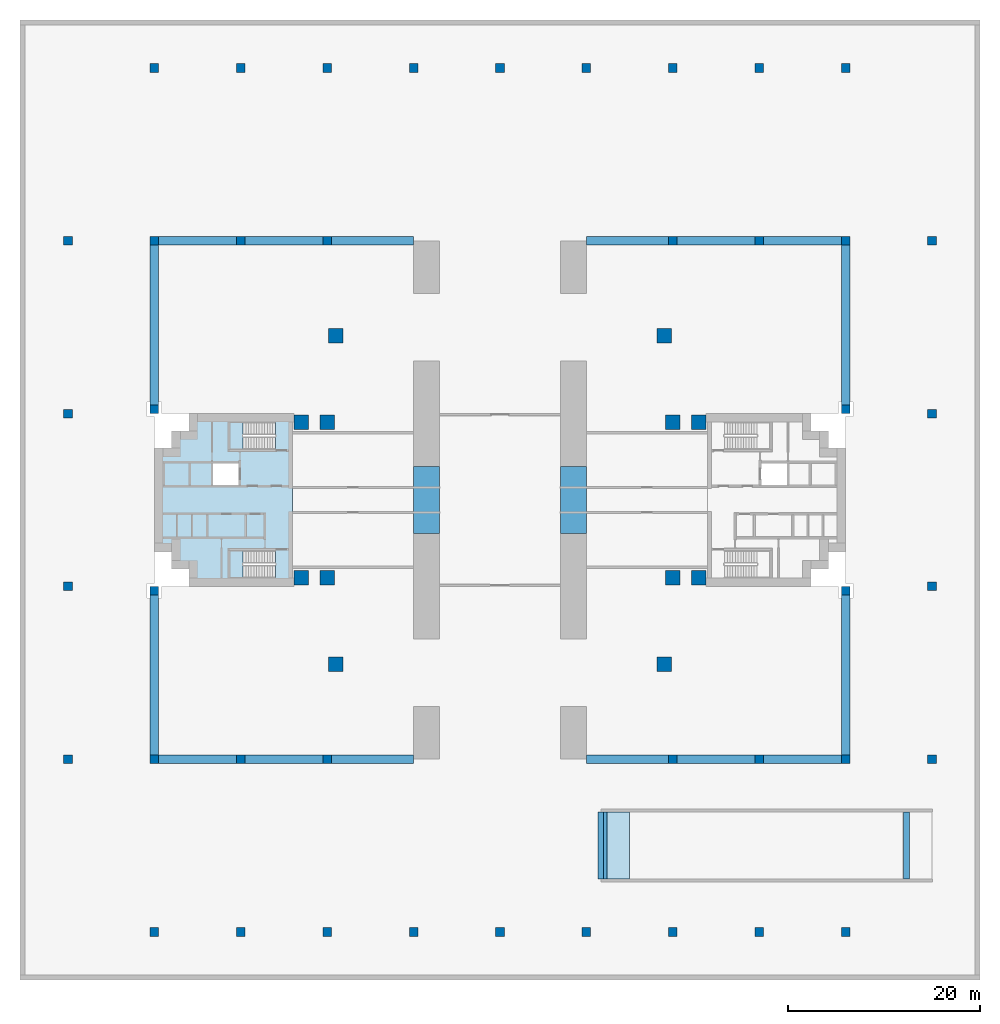
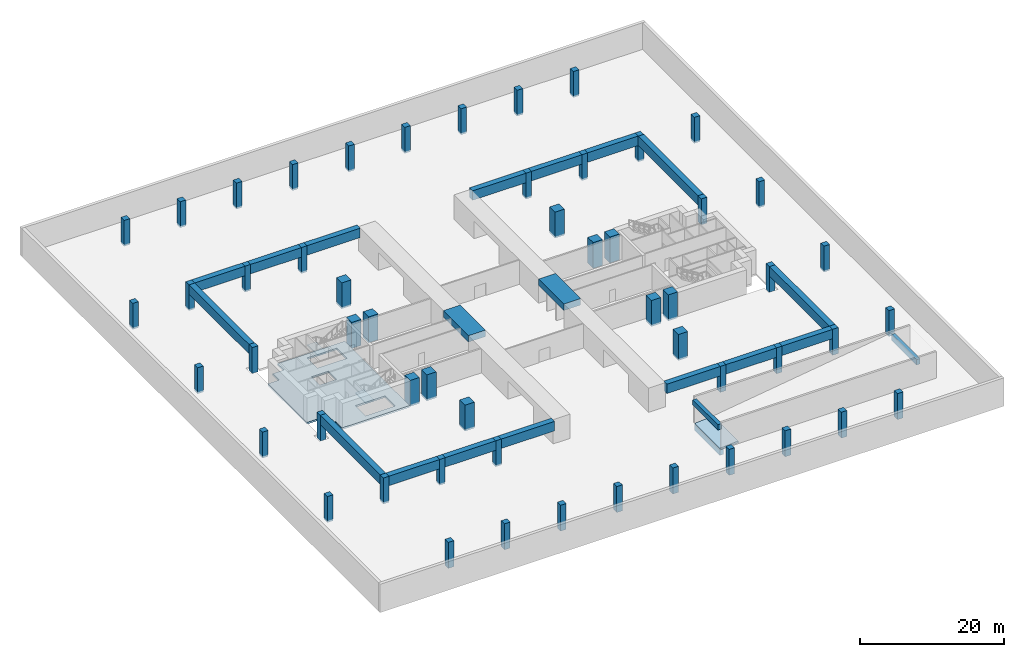
# One storey, part 1 of 9: 54 columns, 21 beams, 4 slabs, 2 elements without a shape of their own.
"""IFC4 building model written with IfcOpenShell, lengths in metres."""

from ifc_helpers import new_model, si_unit, direction, frame, origin, origin_2d, place, context, subcontext, project, spatial, polyline, rectangle, outline, extrude, material, layer, layer_set, material_profile, profile_set, type_object, element, aggregate, save


model = new_model("IFC4")

# Units and contexts
model_context = context("Model", 3, precision=1e-05, world=origin(), true_north=direction((0.0, 1.0)))
body_context = subcontext(model_context, "Body", "Model", "MODEL_VIEW")
ifc_project = project(units=[si_unit("LENGTHUNIT", "METRE"), si_unit("AREAUNIT", "SQUARE_METRE"), si_unit("VOLUMEUNIT", "CUBIC_METRE"), si_unit("PLANEANGLEUNIT", "RADIAN"), si_unit("MASSUNIT", "GRAM", prefix="KILO")], contexts=[model_context])

# Site, building, storey
site_placement = place(None, origin())
site = spatial("IfcSite", under=ifc_project, at=site_placement, CompositionType="ELEMENT")
building_placement = place(site_placement, origin())
building = spatial("IfcBuilding", under=site, at=building_placement, Name="Perihelion Cross Residences", CompositionType="ELEMENT")
storey_placement = place(building_placement, frame((0.0, 0.0, -4.5)))
storey = spatial("IfcBuildingStorey", under=building, at=storey_placement, Name="B1", CompositionType="ELEMENT", Elevation=-4.5)

# Columns
ifc_material_1 = material(Name="Concrete C80/95", Category="concrete")
ifc_material_profile_1 = material_profile(ifc_material_1, rectangle(XDim=1.5, YDim=1.5, at=origin_2d()), Name="RC 1500x1500")
ifc_profile_set_1 = profile_set([ifc_material_profile_1], Name="Concrete C80/95")
column_type_1 = type_object("IfcColumnType", Name="Reinforced concrete column 1500x1500 C80/95", PredefinedType="COLUMN", material=ifc_profile_set_1)
for number, where, z_axis, x_axis, name in (
    (1, (-20.699951171875, -8.10009765625, -0.300048828125), (0.0, 0.0, 1.0), (1.0, 0.0, 0.0), "Column C017 B1 no. 1"),
    (2, (-20.699951171875, 8.10009765625, -0.300048828125), (0.0, 0.0, 1.0), (1.0, 0.0, 0.0), "Column C010 B1 no. 1"),
    (3, (-18.0, -8.10009765625, -0.300048828125), (0.0, 0.0, 1.0), (1.0, 0.0, 0.0), "Column C018 B1 no. 1"),
    (4, (-18.0, 8.10009765625, -0.300048828125), (0.0, 0.0, 1.0), (1.0, 0.0, 0.0), "Column C011 B1 no. 1"),
    (5, (18.0, -8.10009765625, -0.300048828125), (0.0, 0.0, 1.0), (1.0, 0.0, 0.0), "Column C021 B1 no. 1"),
    (6, (18.0, 8.10009765625, -0.300048828125), (0.0, 0.0, 1.0), (1.0, 0.0, 0.0), "Column C015 B1 no. 1"),
    (7, (20.699951171875, -8.10009765625, -0.300048828125), (0.0, 0.0, 1.0), (1.0, 0.0, 0.0), "Column C022 B1 no. 1"),
    (8, (20.699951171875, 8.10009765625, -0.300048828125), (0.0, 0.0, 1.0), (1.0, 0.0, 0.0), "Column C016 B1 no. 1"),
    (9, (17.10009765625, 17.10009765625, -0.300048828125), (0.0, 0.0, 1.0), (1.0, 0.0, 0.0), "Column C009 B1 no. 1"),
    (10, (-17.10009765625, 17.10009765625, -0.300048828125), (0.0, 0.0, 1.0), (1.0, 0.0, 0.0), "Column C008 B1 no. 1"),
    (11, (-17.10009765625, -17.10009765625, -0.300048828125), (0.0, 0.0, 1.0), (1.0, 0.0, 0.0), "Column C030 B1 no. 1"),
    (12, (17.10009765625, -17.10009765625, -0.300048828125), (0.0, 0.0, 1.0), (1.0, 0.0, 0.0), "Column C036 B1 no. 1"),
):
    element("IfcColumn", number, at=place(storey_placement, frame(where, z_axis=z_axis, x_axis=x_axis)), inside=storey, type_object=column_type_1, Name=name, PredefinedType="COLUMN", context=body_context, shape_type="SweptSolid", body=[
        extrude(rectangle(XDim=1.5, YDim=1.5, at=origin_2d()), origin(), (0.0, 0.0, 1.0), 4.400146484375),
    ])
ifc_material_2 = material(Name="Concrete C50/60", Category="concrete")
ifc_material_profile_2 = material_profile(ifc_material_2, rectangle(XDim=0.89990234375, YDim=0.89990234375, at=origin_2d()), Name="RC 900x900")
ifc_profile_set_2 = profile_set([ifc_material_profile_2], Name="Concrete C50/60")
column_type_2 = type_object("IfcColumnType", Name="Reinforced concrete column 900x900 C50/60", PredefinedType="COLUMN", material=ifc_profile_set_2)
for number, where, z_axis, x_axis, name in (
    (13, (-45.0, -27.0, -0.300048828125), (0.0, 0.0, 1.0), (1.0, 0.0, 0.0), "Column CP12 B1 no. 1"),
    (14, (-45.0, -9.0, -0.300048828125), (0.0, 0.0, 1.0), (1.0, 0.0, 0.0), "Column CP13 B1 no. 1"),
    (15, (-45.0, 9.0, -0.300048828125), (0.0, 0.0, 1.0), (1.0, 0.0, 0.0), "Column CP14 B1 no. 1"),
    (16, (-45.0, 27.0, -0.300048828125), (0.0, 0.0, 1.0), (1.0, 0.0, 0.0), "Column CP15 B1 no. 1"),
    (17, (-36.0, -45.0, -0.300048828125), (0.0, 0.0, 1.0), (1.0, 0.0, 0.0), "Column CP21 B1 no. 1"),
    (18, (-36.0, -27.0, -0.300048828125), (0.0, 0.0, 1.0), (1.0, 0.0, 0.0), "Column CP22 B1 no. 1"),
    (19, (-36.0, 27.0, -0.300048828125), (0.0, 0.0, 1.0), (1.0, 0.0, 0.0), "Column CP25 B1 no. 1"),
    (20, (-36.0, 45.0, -0.300048828125), (0.0, 0.0, 1.0), (1.0, 0.0, 0.0), "Column CP26 B1 no. 1"),
    (21, (-27.0, -45.0, -0.300048828125), (0.0, 0.0, 1.0), (1.0, 0.0, 0.0), "Column CP31 B1 no. 1"),
    (22, (-27.0, -27.0, -0.300048828125), (0.0, 0.0, 1.0), (1.0, 0.0, 0.0), "Column CP32 B1 no. 1"),
    (23, (-27.0, 27.0, -0.300048828125), (0.0, 0.0, 1.0), (1.0, 0.0, 0.0), "Column CP35 B1 no. 1"),
    (24, (-27.0, 45.0, -0.300048828125), (0.0, 0.0, 1.0), (1.0, 0.0, 0.0), "Column CP36 B1 no. 1"),
    (25, (-18.0, -45.0, -0.300048828125), (0.0, 0.0, 1.0), (1.0, 0.0, 0.0), "Column CP41 B1 no. 1"),
    (26, (-18.0, -27.0, -0.300048828125), (0.0, 0.0, 1.0), (1.0, 0.0, 0.0), "Column CP42 B1 no. 1"),
    (27, (-18.0, 27.0, -0.300048828125), (0.0, 0.0, 1.0), (1.0, 0.0, 0.0), "Column CP45 B1 no. 1"),
    (28, (-18.0, 45.0, -0.300048828125), (0.0, 0.0, 1.0), (1.0, 0.0, 0.0), "Column CP46 B1 no. 1"),
    (29, (-9.0, -45.0, -0.300048828125), (0.0, 0.0, 1.0), (1.0, 0.0, 0.0), "Column CP51 B1 no. 1"),
    (30, (-9.0, 45.0, -0.300048828125), (0.0, 0.0, 1.0), (1.0, 0.0, 0.0), "Column CP56 B1 no. 1"),
    (31, (0.0, -45.0, -0.300048828125), (0.0, 0.0, 1.0), (1.0, 0.0, 0.0), "Column CP61 B1 no. 1"),
    (32, (0.0, 45.0, -0.300048828125), (0.0, 0.0, 1.0), (1.0, 0.0, 0.0), "Column CP66 B1 no. 1"),
    (33, (9.0, -45.0, -0.300048828125), (0.0, 0.0, 1.0), (1.0, 0.0, 0.0), "Column CP71 B1 no. 1"),
    (34, (9.0, 45.0, -0.300048828125), (0.0, 0.0, 1.0), (1.0, 0.0, 0.0), "Column CP76 B1 no. 1"),
    (35, (18.0, -45.0, -0.300048828125), (0.0, 0.0, 1.0), (1.0, 0.0, 0.0), "Column CP81 B1 no. 1"),
    (36, (18.0, -27.0, -0.300048828125), (0.0, 0.0, 1.0), (1.0, 0.0, 0.0), "Column CP82 B1 no. 1"),
    (37, (18.0, 27.0, -0.300048828125), (0.0, 0.0, 1.0), (1.0, 0.0, 0.0), "Column CP85 B1 no. 1"),
    (38, (18.0, 45.0, -0.300048828125), (0.0, 0.0, 1.0), (1.0, 0.0, 0.0), "Column CP86 B1 no. 1"),
    (39, (27.0, -45.0, -0.300048828125), (0.0, 0.0, 1.0), (1.0, 0.0, 0.0), "Column CP91 B1 no. 1"),
    (40, (27.0, -27.0, -0.300048828125), (0.0, 0.0, 1.0), (1.0, 0.0, 0.0), "Column CP92 B1 no. 1"),
    (41, (27.0, 27.0, -0.300048828125), (0.0, 0.0, 1.0), (1.0, 0.0, 0.0), "Column CP95 B1 no. 1"),
    (42, (27.0, 45.0, -0.300048828125), (0.0, 0.0, 1.0), (1.0, 0.0, 0.0), "Column CP96 B1 no. 1"),
    (43, (36.0, -45.0, -0.300048828125), (0.0, 0.0, 1.0), (1.0, 0.0, 0.0), "Column CP101 B1 no. 1"),
    (44, (36.0, -27.0, -0.300048828125), (0.0, 0.0, 1.0), (1.0, 0.0, 0.0), "Column CP102 B1 no. 1"),
    (45, (36.0, 27.0, -0.300048828125), (0.0, 0.0, 1.0), (1.0, 0.0, 0.0), "Column CP105 B1 no. 1"),
    (46, (36.0, 45.0, -0.300048828125), (0.0, 0.0, 1.0), (1.0, 0.0, 0.0), "Column CP106 B1 no. 1"),
    (47, (45.0, -27.0, -0.300048828125), (0.0, 0.0, 1.0), (1.0, 0.0, 0.0), "Column CP112 B1 no. 1"),
    (48, (45.0, -9.0, -0.300048828125), (0.0, 0.0, 1.0), (1.0, 0.0, 0.0), "Column CP113 B1 no. 1"),
    (49, (45.0, 9.0, -0.300048828125), (0.0, 0.0, 1.0), (1.0, 0.0, 0.0), "Column CP114 B1 no. 1"),
    (50, (45.0, 27.0, -0.300048828125), (0.0, 0.0, 1.0), (1.0, 0.0, 0.0), "Column CP115 B1 no. 1"),
    (51, (36.0, 9.449951171875, -0.300048828125), (0.0, 0.0, 1.0), (1.0, 0.0, 0.0), "Column LC1 B1 loggia no. 1"),
    (52, (36.0, -9.449951171875, -0.300048828125), (0.0, 0.0, 1.0), (1.0, 0.0, 0.0), "Column LC2 B1 loggia no. 1"),
    (53, (-36.0, 9.449951171875, -0.300048828125), (0.0, 0.0, 1.0), (1.0, 0.0, 0.0), "Column LC3 B1 loggia no. 1"),
    (54, (-36.0, -9.449951171875, -0.300048828125), (0.0, 0.0, 1.0), (1.0, 0.0, 0.0), "Column LC4 B1 loggia no. 1"),
):
    element("IfcColumn", number, at=place(storey_placement, frame(where, z_axis=z_axis, x_axis=x_axis)), inside=storey, type_object=column_type_2, Name=name, PredefinedType="COLUMN", context=body_context, shape_type="SweptSolid", body=[
        extrude(rectangle(XDim=0.89990234375, YDim=0.89990234375, at=origin_2d()), origin(), (0.0, 0.0, 1.0), 4.400146484375),
    ])

# Beams
ifc_material_3 = material(Name="Concrete C60/75", Category="concrete")
ifc_material_profile_3 = material_profile(ifc_material_3, rectangle(XDim=2.699951171875, YDim=1.10009765625, at=origin_2d()), Name="Lane lintel beam 2700 x 1100 concrete C60/75")
ifc_profile_set_3 = profile_set([ifc_material_profile_3], Name="Concrete C60/75")
beam_type_1 = type_object("IfcBeamType", Name="Lane lintel beam 2700 x 1100 concrete C60/75", PredefinedType="BEAM", material=ifc_profile_set_3)
for number, where, z_axis, x_axis, name in (
    (55, (7.64990234375, -3.5, 3.550048828125), (0.0, 1.0, 0.0), (-1.0, 0.0, 0.0), "Beam CB8 B1 pier east lintel"),
    (56, (-7.64990234375, -3.5, 3.550048828125), (0.0, 1.0, 0.0), (-1.0, 0.0, 0.0), "Beam CB8 B1 pier west lintel"),
):
    element("IfcBeam", number, at=place(storey_placement, frame(where, z_axis=z_axis, x_axis=x_axis)), inside=storey, type_object=beam_type_1, Name=name, PredefinedType="BEAM", context=body_context, shape_type="SweptSolid", body=[
        extrude(rectangle(XDim=2.699951171875, YDim=1.10009765625, at=origin_2d()), origin(), (0.0, 0.0, 1.0), 7.0),
    ])
ifc_material_4 = material(Name="Concrete C50/60", Category="concrete")
ifc_material_profile_4 = material_profile(ifc_material_4, rectangle(XDim=0.89990234375, YDim=1.60009765625, at=origin_2d()), Name="RC 900x1600")
ifc_profile_set_4 = profile_set([ifc_material_profile_4], Name="Concrete C50/60")
beam_type_2 = type_object("IfcBeamType", Name="Loggia ground beam 900 x 1600 concrete C50/60", PredefinedType="BEAM", material=ifc_profile_set_4)
beam_1_placement = place(storey_placement, frame((9.0, 27.0, 3.300048828125), z_axis=(1.0, 0.0, 0.0), x_axis=(0.0, 1.0, 0.0)))
element("IfcBeam", 57, at=beam_1_placement, inside=storey, type_object=beam_type_2, Name="Beam GB1 B1 loggia north-east north-south 1", PredefinedType="BEAM", context=body_context, shape_type="SweptSolid", body=[
    extrude(rectangle(XDim=0.89990234375, YDim=1.60009765625, at=origin_2d()), origin(), (0.0, 0.0, 1.0), 8.550048828125),
])
for number, where, z_axis, x_axis, name in (
    (58, (18.449951171875, 27.0, 3.300048828125), (1.0, 0.0, 0.0), (0.0, 1.0, 0.0), "Beam GB1 B1 loggia north-east north-south 2"),
    (59, (27.449951171875, 27.0, 3.300048828125), (1.0, 0.0, 0.0), (0.0, 1.0, 0.0), "Beam GB1 B1 loggia north-east north-south 3"),
):
    element("IfcBeam", number, at=place(storey_placement, frame(where, z_axis=z_axis, x_axis=x_axis)), inside=storey, type_object=beam_type_2, Name=name, PredefinedType="BEAM", context=body_context, shape_type="SweptSolid", body=[
        extrude(rectangle(XDim=0.89990234375, YDim=1.60009765625, at=origin_2d()), origin(), (0.0, 0.0, 1.0), 8.10009765625),
    ])
beam_2_placement = place(storey_placement, frame((36.0, 9.89990234375, 3.300048828125), z_axis=(0.0, 1.0, 0.0), x_axis=(-1.0, 0.0, 0.0)))
element("IfcBeam", 60, at=beam_2_placement, inside=storey, type_object=beam_type_2, Name="Beam GB1 B1 loggia north-east east-west 1", PredefinedType="BEAM", context=body_context, shape_type="SweptSolid", body=[
    extrude(rectangle(XDim=0.89990234375, YDim=1.60009765625, at=origin_2d()), origin(), (0.0, 0.0, 1.0), 16.650146484375),
])
beam_3_placement = place(storey_placement, frame((9.0, -27.0, 3.300048828125), z_axis=(1.0, 0.0, 0.0), x_axis=(0.0, 1.0, 0.0)))
element("IfcBeam", 61, at=beam_3_placement, inside=storey, type_object=beam_type_2, Name="Beam GB1 B1 loggia south-east north-south 1", PredefinedType="BEAM", context=body_context, shape_type="SweptSolid", body=[
    extrude(rectangle(XDim=0.89990234375, YDim=1.60009765625, at=origin_2d()), origin(), (0.0, 0.0, 1.0), 8.550048828125),
])
for number, where, z_axis, x_axis, name in (
    (62, (18.449951171875, -27.0, 3.300048828125), (1.0, 0.0, 0.0), (0.0, 1.0, 0.0), "Beam GB1 B1 loggia south-east north-south 2"),
    (63, (27.449951171875, -27.0, 3.300048828125), (1.0, 0.0, 0.0), (0.0, 1.0, 0.0), "Beam GB1 B1 loggia south-east north-south 3"),
):
    element("IfcBeam", number, at=place(storey_placement, frame(where, z_axis=z_axis, x_axis=x_axis)), inside=storey, type_object=beam_type_2, Name=name, PredefinedType="BEAM", context=body_context, shape_type="SweptSolid", body=[
        extrude(rectangle(XDim=0.89990234375, YDim=1.60009765625, at=origin_2d()), origin(), (0.0, 0.0, 1.0), 8.10009765625),
    ])
beam_4_placement = place(storey_placement, frame((36.0, -9.89990234375, 3.300048828125), z_axis=(0.0, -1.0, 0.0), x_axis=(1.0, 0.0, 0.0)))
element("IfcBeam", 64, at=beam_4_placement, inside=storey, type_object=beam_type_2, Name="Beam GB1 B1 loggia south-east east-west 1", PredefinedType="BEAM", context=body_context, shape_type="SweptSolid", body=[
    extrude(rectangle(XDim=0.89990234375, YDim=1.60009765625, at=origin_2d()), origin(), (0.0, 0.0, 1.0), 16.650146484375),
])
beam_5_placement = place(storey_placement, frame((-9.0, 27.0, 3.300048828125), z_axis=(-1.0, 0.0, 0.0), x_axis=(0.0, -1.0, 0.0)))
element("IfcBeam", 65, at=beam_5_placement, inside=storey, type_object=beam_type_2, Name="Beam GB1 B1 loggia north-west north-south 1", PredefinedType="BEAM", context=body_context, shape_type="SweptSolid", body=[
    extrude(rectangle(XDim=0.89990234375, YDim=1.60009765625, at=origin_2d()), origin(), (0.0, 0.0, 1.0), 8.550048828125),
])
for number, where, z_axis, x_axis, name in (
    (66, (-18.449951171875, 27.0, 3.300048828125), (-1.0, 0.0, 0.0), (0.0, -1.0, 0.0), "Beam GB1 B1 loggia north-west north-south 2"),
    (67, (-27.449951171875, 27.0, 3.300048828125), (-1.0, 0.0, 0.0), (0.0, -1.0, 0.0), "Beam GB1 B1 loggia north-west north-south 3"),
):
    element("IfcBeam", number, at=place(storey_placement, frame(where, z_axis=z_axis, x_axis=x_axis)), inside=storey, type_object=beam_type_2, Name=name, PredefinedType="BEAM", context=body_context, shape_type="SweptSolid", body=[
        extrude(rectangle(XDim=0.89990234375, YDim=1.60009765625, at=origin_2d()), origin(), (0.0, 0.0, 1.0), 8.10009765625),
    ])
beam_6_placement = place(storey_placement, frame((-36.0, 9.89990234375, 3.300048828125), z_axis=(0.0, 1.0, 0.0), x_axis=(-1.0, 0.0, 0.0)))
element("IfcBeam", 68, at=beam_6_placement, inside=storey, type_object=beam_type_2, Name="Beam GB1 B1 loggia north-west east-west 1", PredefinedType="BEAM", context=body_context, shape_type="SweptSolid", body=[
    extrude(rectangle(XDim=0.89990234375, YDim=1.60009765625, at=origin_2d()), origin(), (0.0, 0.0, 1.0), 16.650146484375),
])
beam_7_placement = place(storey_placement, frame((-9.0, -27.0, 3.300048828125), z_axis=(-1.0, 0.0, 0.0), x_axis=(0.0, -1.0, 0.0)))
element("IfcBeam", 69, at=beam_7_placement, inside=storey, type_object=beam_type_2, Name="Beam GB1 B1 loggia south-west north-south 1", PredefinedType="BEAM", context=body_context, shape_type="SweptSolid", body=[
    extrude(rectangle(XDim=0.89990234375, YDim=1.60009765625, at=origin_2d()), origin(), (0.0, 0.0, 1.0), 8.550048828125),
])
for number, where, z_axis, x_axis, name in (
    (70, (-18.449951171875, -27.0, 3.300048828125), (-1.0, 0.0, 0.0), (0.0, -1.0, 0.0), "Beam GB1 B1 loggia south-west north-south 2"),
    (71, (-27.449951171875, -27.0, 3.300048828125), (-1.0, 0.0, 0.0), (0.0, -1.0, 0.0), "Beam GB1 B1 loggia south-west north-south 3"),
):
    element("IfcBeam", number, at=place(storey_placement, frame(where, z_axis=z_axis, x_axis=x_axis)), inside=storey, type_object=beam_type_2, Name=name, PredefinedType="BEAM", context=body_context, shape_type="SweptSolid", body=[
        extrude(rectangle(XDim=0.89990234375, YDim=1.60009765625, at=origin_2d()), origin(), (0.0, 0.0, 1.0), 8.10009765625),
    ])
beam_8_placement = place(storey_placement, frame((-36.0, -9.89990234375, 3.300048828125), z_axis=(0.0, -1.0, 0.0), x_axis=(1.0, 0.0, 0.0)))
element("IfcBeam", 72, at=beam_8_placement, inside=storey, type_object=beam_type_2, Name="Beam GB1 B1 loggia south-west east-west 1", PredefinedType="BEAM", context=body_context, shape_type="SweptSolid", body=[
    extrude(rectangle(XDim=0.89990234375, YDim=1.60009765625, at=origin_2d()), origin(), (0.0, 0.0, 1.0), 16.650146484375),
])
ifc_material_5 = material(Name="Concrete C50/60", Category="concrete")
ifc_material_profile_5 = material_profile(ifc_material_5, rectangle(XDim=0.60009765625, YDim=0.89990234375, at=origin_2d()), Name="RC 600x900")
ifc_profile_set_5 = profile_set([ifc_material_profile_5], Name="Concrete C50/60")
beam_type_3 = type_object("IfcBeamType", Name="Ramp house end beam 600 x 900 concrete C50/60", PredefinedType="BEAM", material=ifc_profile_set_5)
for number, where, z_axis, x_axis, name in (
    (73, (42.33447265625, -39.5, 3.537353515625), (0.0, 1.0, 0.0), (-1.0, 0.0, 0.0), "Ramp bearer L00 to B1 piece 1"),
    (74, (10.8212890625, -39.5, -0.749267578125), (0.0, 1.0, 0.0), (-1.0, 0.0, 0.0), "Ramp bearer L00 to B1 piece 3"),
    (75, (10.5, -39.5, 3.64990234375), (0.0, 1.0, 0.0), (-1.0, 0.0, 0.0), "Ramp house end beam"),
):
    element("IfcBeam", number, at=place(storey_placement, frame(where, z_axis=z_axis, x_axis=x_axis)), inside=storey, type_object=beam_type_3, Name=name, PredefinedType="BEAM", context=body_context, shape_type="SweptSolid", body=[
        extrude(rectangle(XDim=0.60009765625, YDim=0.89990234375, at=origin_2d()), origin(), (0.0, 0.0, 1.0), 7.0),
    ])

# Slab
ifc_material_6 = material(Name="Concrete C40/50", Category="concrete")
ifc_layer_1 = layer(ifc_material_6, 0.300048828125)
ifc_layer_set_1 = layer_set([ifc_layer_1], Name="Core floor slab 300")
slab_type_1 = type_object("IfcSlabType", Name="Core floor slab 300", PredefinedType="FLOOR", material=ifc_layer_set_1)
slab_1_placement = place(storey_placement, frame((0.0, 0.0, -0.300048828125)))
element("IfcSlab", 76, at=slab_1_placement, inside=storey, type_object=slab_type_1, Name="West core floor slab", PredefinedType="FLOOR", context=body_context, shape_type="SweptSolid", body=[
    extrude(outline(polyline([(-32.39990234375, 7.199951171875), (-34.199951171875, 7.199951171875), (-34.199951171875, 5.39990234375), (-36.0, 5.39990234375), (-36.0, -5.39990234375), (-34.199951171875, -5.39990234375), (-34.199951171875, -7.199951171875), (-32.39990234375, -7.199951171875), (-32.39990234375, -9.0), (-21.60009765625, -9.0), (-21.60009765625, 9.0), (-32.39990234375, 9.0), (-32.39990234375, 7.199951171875)]), holes=[polyline([(-28.14990234375, -5.25), (-23.405029296875, -5.25), (-23.405029296875, -8.10009765625), (-28.14990234375, -8.10009765625), (-28.14990234375, -5.25)]), polyline([(-27.199951171875, 1.550048828125), (-29.89990234375, 1.550048828125), (-29.89990234375, 3.85009765625), (-27.199951171875, 3.85009765625), (-27.199951171875, 1.550048828125)]), polyline([(-28.14990234375, 5.25), (-28.14990234375, 8.10009765625), (-23.405029296875, 8.10009765625), (-23.405029296875, 5.25), (-28.14990234375, 5.25)])]), origin(), (0.0, 0.0, 1.0), 0.300048828125),
])

# Stair, slab
ifc_material_7 = material(Name="Concrete C40/50", Category="concrete")
stair_type = type_object("IfcStairType", Name="Exit stair, half-turn", PredefinedType="HALF_TURN_STAIR", material=ifc_material_7)
stair_1_placement = place(storey_placement, origin())
stair_1 = element("IfcStair", 77, at=stair_1_placement, inside=storey, type_object=stair_type, Name="B1 West core exit stair 1", PredefinedType="HALF_TURN_STAIR")
ifc_material_8 = material(Name="Concrete C40/50", Category="concrete")
ifc_layer_2 = layer(ifc_material_8, 0.199951171875)
ifc_layer_set_2 = layer_set([ifc_layer_2], Name="Exit stair landing 200")
slab_type_2 = type_object("IfcSlabType", Name="Exit stair landing 200", PredefinedType="LANDING", material=ifc_layer_set_2)
slab_2_placement = place(storey_placement, frame((0.0, 0.0, 2.050048828125)))
slab_2 = element("IfcSlab", 78, at=slab_2_placement, type_object=slab_type_2, Name="ST-W1 landing 1", PredefinedType="LANDING", context=body_context, shape_type="SweptSolid", body=[
    extrude(outline(polyline([(-26.760009765625, 8.10009765625), (-28.14990234375, 8.10009765625), (-28.14990234375, 5.25), (-26.760009765625, 5.25), (-26.760009765625, 8.10009765625)])), origin(), (0.0, 0.0, 1.0), 0.199951171875),
])
aggregate(stair_1, [slab_2])

stair_2_placement = place(storey_placement, origin())
stair_2 = element("IfcStair", 79, at=stair_2_placement, inside=storey, type_object=stair_type, Name="B1 West core exit stair 2", PredefinedType="HALF_TURN_STAIR")
slab_3_placement = place(storey_placement, frame((0.0, 0.0, 2.050048828125)))
slab_3 = element("IfcSlab", 80, at=slab_3_placement, type_object=slab_type_2, Name="ST-W2 landing 1", PredefinedType="LANDING", context=body_context, shape_type="SweptSolid", body=[
    extrude(outline(polyline([(-26.760009765625, -5.25), (-28.14990234375, -5.25), (-28.14990234375, -8.10009765625), (-26.760009765625, -8.10009765625), (-26.760009765625, -5.25)])), origin(), (0.0, 0.0, 1.0), 0.199951171875),
])
aggregate(stair_2, [slab_3])

# Slab
ifc_material_9 = material(Name="Concrete C40/50", Category="concrete")
ifc_layer_3 = layer(ifc_material_9, 0.300048828125)
ifc_layer_set_3 = layer_set([ifc_layer_3], Name="Vehicle ramp slab 300 concrete C40/50")
slab_type_3 = type_object("IfcSlabType", Name="Vehicle ramp slab 300 concrete C40/50", PredefinedType="USERDEFINED", material=ifc_layer_set_3)
slab_4_placement = place(storey_placement, frame((13.487060546875, -39.5, 0.21337890625), z_axis=(-0.071252843641, 0.0, 0.997458285981), x_axis=(-0.997458285981, 0.0, -0.071252843641)))
element("IfcSlab", 81, at=slab_4_placement, inside=storey, type_object=slab_type_3, Name="Vehicle ramp L00 to B1 slab 3", ObjectType="VEHICLE RAMP", PredefinedType="USERDEFINED", context=body_context, shape_type="SweptSolid", body=[
    extrude(outline(polyline([(0.0, 0.0), (2.9946721470520976, 0.0), (2.9946721470520976, -7.0), (0.0, -7.0), (0.0, 0.0)])), origin(), (0.0, 0.0, -1.0), 0.300048828125),
])

save(model, "model.ifc")
